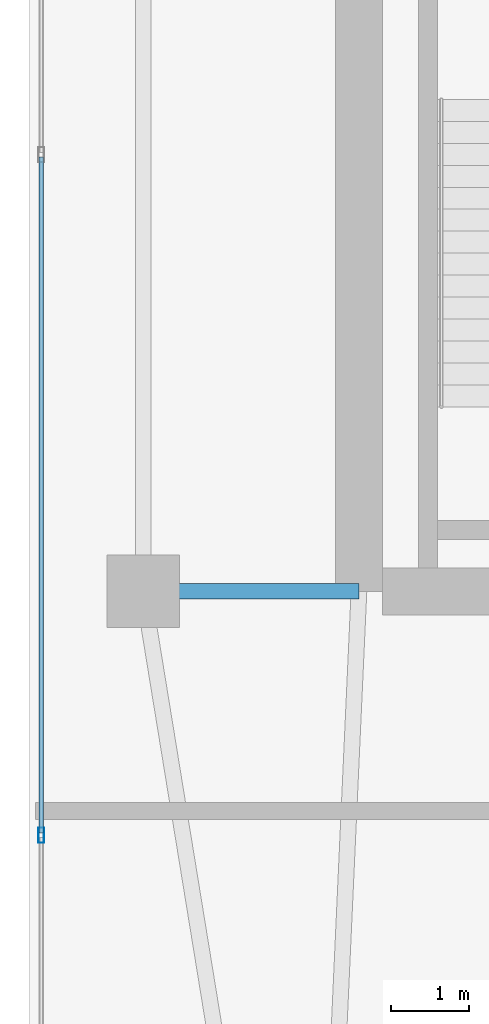
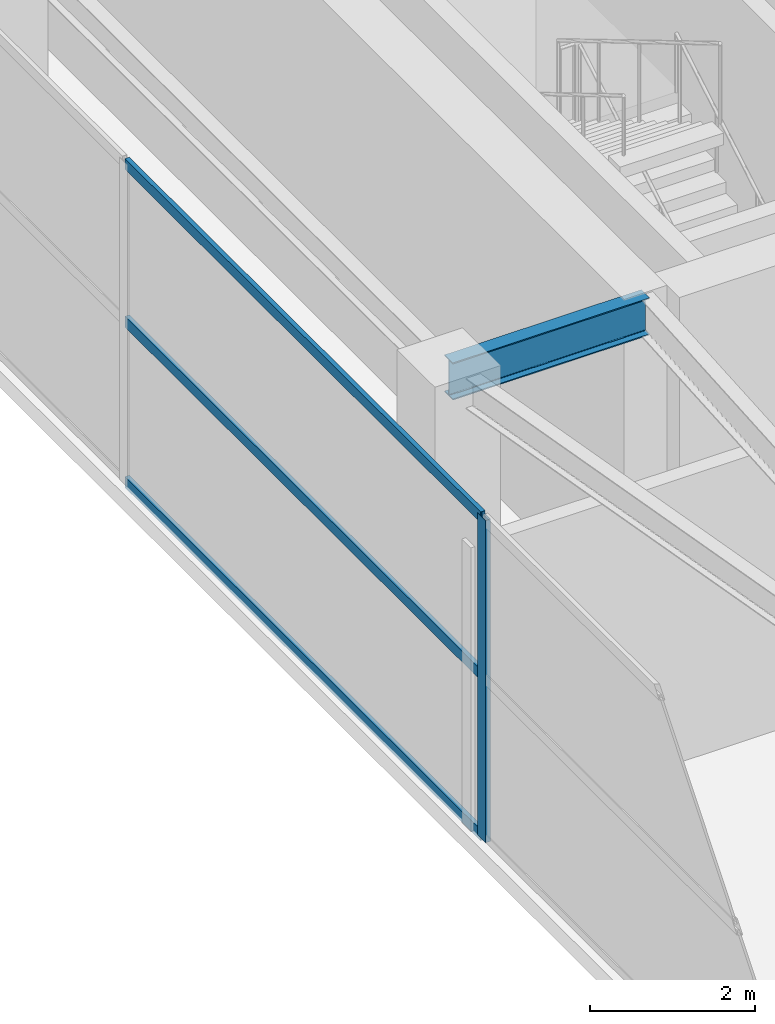
# One storey, part 5 of 20: 4 members, 1 beam, 1 element without a shape of its own.
"""IFC4 building model written with IfcOpenShell, lengths in metres."""

from ifc_helpers import new_model, si_unit, direction, frame, origin, origin_2d, place, context, subcontext, project, spatial, hollow_rectangle, i_section, extrude, material, layer, layer_set, material_profile, profile_set, type_object, element, aggregate, save


model = new_model("IFC4")

# Units and contexts
model_context = context("Model", 3, precision=1e-05, world=origin(), true_north=direction((0.0, 1.0)))
body_context = subcontext(model_context, "Body", "Model", "MODEL_VIEW")
ifc_project = project(units=[si_unit("LENGTHUNIT", "METRE"), si_unit("AREAUNIT", "SQUARE_METRE"), si_unit("VOLUMEUNIT", "CUBIC_METRE"), si_unit("PLANEANGLEUNIT", "RADIAN"), si_unit("MASSUNIT", "GRAM", prefix="KILO")], contexts=[model_context])

# Site, building, storey
site_placement = place(None, origin())
site = spatial("IfcSite", under=ifc_project, at=site_placement, CompositionType="ELEMENT")
building_placement = place(site_placement, origin())
building = spatial("IfcBuilding", under=site, at=building_placement, Name="Calvorn Quay Hotel", CompositionType="ELEMENT")
storey_placement = place(building_placement, frame((0.0, 0.0, 340.5)))
storey = spatial("IfcBuildingStorey", under=building, at=storey_placement, Name="L83", CompositionType="ELEMENT", Elevation=340.5)

# Beam
ifc_material_1 = material(Name="Steel Q355B", Category="steel")
ifc_material_profile_1 = material_profile(ifc_material_1, i_section(OverallWidth=0.199951171875, OverallDepth=0.550048828125, WebThickness=0.010009765625, FlangeThickness=0.01611328125, FilletRadius=0.01806640625, at=origin_2d()), Name="HN550x200x10x16")
ifc_profile_set_1 = profile_set([ifc_material_profile_1], Name="Steel Q355B")
beam_type = type_object("IfcBeamType", Name="BM-GIRD-UPP", PredefinedType="BEAM", material=ifc_profile_set_1)
beam_placement = place(storey_placement, frame((1.449951171875, 16.800048828125, 4.465087890625), z_axis=(1.0, 0.0, 0.0), x_axis=(0.0, 1.0, 0.0)))
element("IfcBeam", 1, at=beam_placement, inside=storey, type_object=beam_type, Name="Beam BG-L83-W1", PredefinedType="BEAM", context=body_context, shape_type="SweptSolid", body=[
    extrude(i_section(OverallWidth=0.199951171875, OverallDepth=0.550048828125, WebThickness=0.010009765625, FlangeThickness=0.01611328125, FilletRadius=0.01806640625, at=origin_2d()), origin(), (0.0, 0.0, 1.0), 2.75),
])

# Curtain wall, members
ifc_material_2 = material(Name="Pale Anodised Aluminium and Laminated Glass", Category="aluminium")
ifc_layer = layer(ifc_material_2, 0.219970703125)
ifc_layer_set = layer_set([ifc_layer], Name="CW-SYS-CRN")
curtain_wall_type = type_object("IfcCurtainWallType", Name="CW-SYS-CRN", PredefinedType="NOTDEFINED", material=ifc_layer_set)
curtain_wall_placement = place(storey_placement, origin())
curtain_wall = element("IfcCurtainWall", 2, at=curtain_wall_placement, inside=storey, type_object=curtain_wall_type, Name="Crown Curtain Wall L83-C3", PredefinedType="NOTDEFINED")
ifc_material_3 = material(Name="Pale Anodised Aluminium 6063-T6", Category="aluminium")
ifc_material_profile_2 = material_profile(ifc_material_3, hollow_rectangle(XDim=0.072021484375, YDim=0.195068359375, WallThickness=0.00390625, at=origin_2d()), Name="ALU-M195x72x4")
ifc_profile_set_2 = profile_set([ifc_material_profile_2], Name="Pale Anodised Aluminium 6063-T6")
member_type_1 = type_object("IfcMemberType", Name="CW-SYS-CRN-MUL", PredefinedType="MULLION", material=ifc_profile_set_2)
member_1_placement = place(storey_placement, frame((0.14990234375, 13.69189453125, 0.0), z_axis=(0.0, 0.0, 1.0), x_axis=(1.0, 0.0, 0.0)))
member_1 = element("IfcMember", 3, at=member_1_placement, type_object=member_type_1, Name="CW-L83-C3 mullion 5", PredefinedType="MULLION", context=body_context, shape_type="SweptSolid", body=[
    extrude(hollow_rectangle(XDim=0.072021484375, YDim=0.195068359375, WallThickness=0.00390625, at=origin_2d()), origin(), (0.0, 0.0, 1.0), 4.760009765625),
])
ifc_material_4 = material(Name="Pale Anodised Aluminium 6063-T6", Category="aluminium")
ifc_material_profile_3 = material_profile(ifc_material_4, hollow_rectangle(XDim=0.06201171875, YDim=0.159912109375, WallThickness=0.00341796875, at=origin_2d()), Name="ALU-T160x62x3.5")
ifc_profile_set_3 = profile_set([ifc_material_profile_3], Name="Pale Anodised Aluminium 6063-T6")
member_type_2 = type_object("IfcMemberType", Name="CW-SYS-CRN-TRN", PredefinedType="USERDEFINED", material=ifc_profile_set_3)
member_2_placement = place(storey_placement, frame((0.14990234375, 22.333984375, 0.030029296875), z_axis=(0.0, -1.0, 0.0), x_axis=(1.0, 0.0, 0.0)))
member_2 = element("IfcMember", 4, at=member_2_placement, type_object=member_type_2, Name="CW-L83-C3 transom 4.1", ObjectType="TRANSOM", PredefinedType="USERDEFINED", context=body_context, shape_type="SweptSolid", body=[
    extrude(hollow_rectangle(XDim=0.06201171875, YDim=0.159912109375, WallThickness=0.00341796875, at=origin_2d()), origin(), (0.0, 0.0, 1.0), 8.612060546875),
])
member_3_placement = place(storey_placement, frame((0.14990234375, 22.333984375, 2.39990234375), z_axis=(0.0, -1.0, 0.0), x_axis=(1.0, 0.0, 0.0)))
member_3 = element("IfcMember", 5, at=member_3_placement, type_object=member_type_2, Name="CW-L83-C3 transom 4.2", ObjectType="TRANSOM", PredefinedType="USERDEFINED", context=body_context, shape_type="SweptSolid", body=[
    extrude(hollow_rectangle(XDim=0.06201171875, YDim=0.159912109375, WallThickness=0.00341796875, at=origin_2d()), origin(), (0.0, 0.0, 1.0), 8.612060546875),
])
member_4_placement = place(storey_placement, frame((0.14990234375, 22.333984375, 4.72998046875), z_axis=(0.0, -1.0, 0.0), x_axis=(1.0, 0.0, 0.0)))
member_4 = element("IfcMember", 6, at=member_4_placement, type_object=member_type_2, Name="CW-L83-C3 transom 4.3", ObjectType="TRANSOM", PredefinedType="USERDEFINED", context=body_context, shape_type="SweptSolid", body=[
    extrude(hollow_rectangle(XDim=0.06201171875, YDim=0.159912109375, WallThickness=0.00341796875, at=origin_2d()), origin(), (0.0, 0.0, 1.0), 8.612060546875),
])
aggregate(curtain_wall, [member_1, member_2, member_3, member_4])

save(model, "model.ifc")
